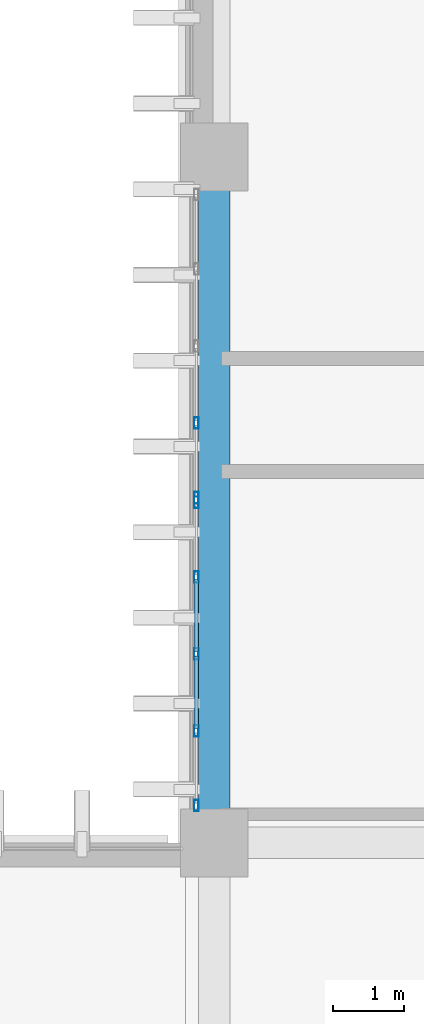
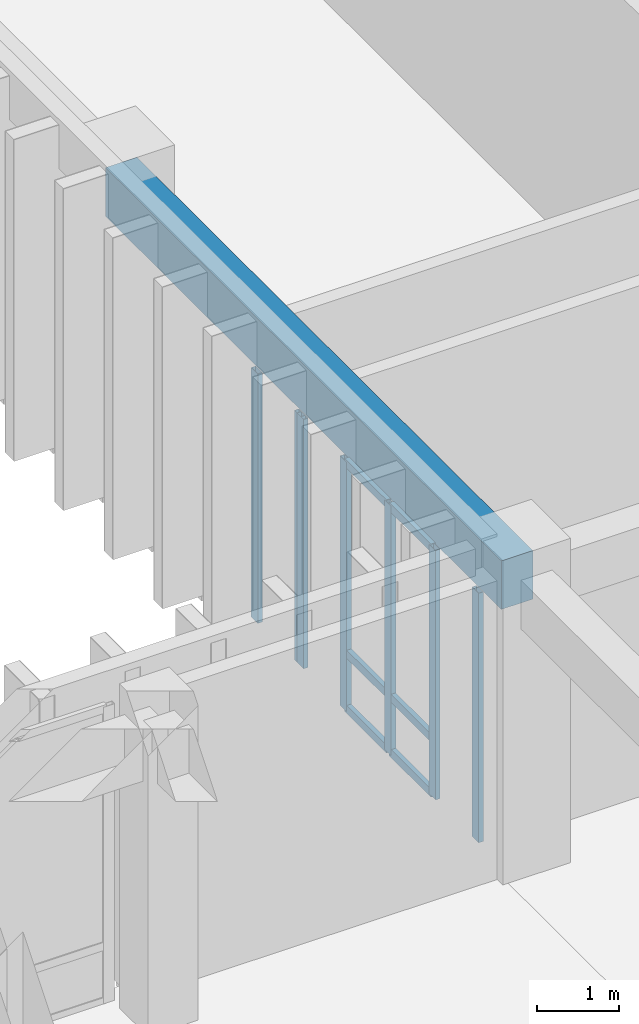
# One storey, part 75 of 133: 13 members, 1 beam, 2 elements without a shape of their own.
"""IFC4 building model written with IfcOpenShell, lengths in metres."""

import ifcopenshell
import ifcopenshell.guid

model = None  # the IFC model being written
_history = None  # IfcOwnerHistory: only IFC2X3 demands one
_inside = {}  # id of a spatial element -> (the spatial element, [elements in it])
_under = {}  # id of a project, library or spatial element -> (it, [spatial elements below it])
_declared = {}  # id of a project -> (the project, [libraries it declares])
_typed = {}  # id of a type object -> (the type object, [elements of that type])
_made_of = {}  # id of a material, layer set ... -> (it, [elements and type objects made of it])


def new_model(schema):
    """Start an empty IFC model of exactly this schema.

    Asked for "IFC4X3", IfcOpenShell would pick the latest addendum, in which some entities
    have other attributes; the version numbers below select the first issue.
    IFC2X3 requires an IfcOwnerHistory on every rooted entity: one is made here for all.
    """
    global model, _history
    if schema == "IFC4X3":
        model = ifcopenshell.file(schema_version=(4, 3, 0, 0))
    else:
        model = ifcopenshell.file(schema=schema)
    _inside.clear()
    _under.clear()
    _declared.clear()
    _typed.clear()
    _made_of.clear()
    _history = None
    if model.schema == "IFC2X3":
        org = make("IfcOrganization", Name="unknown")
        user = make(
            "IfcPersonAndOrganization",
            ThePerson=make("IfcPerson", FamilyName="unknown"),
            TheOrganization=org,
        )
        app = make(
            "IfcApplication",
            ApplicationDeveloper=org,
            Version="unknown",
            ApplicationFullName="unknown",
            ApplicationIdentifier="unknown",
        )
        _history = make(
            "IfcOwnerHistory",
            OwningUser=user,
            OwningApplication=app,
            ChangeAction="ADDED",
            CreationDate=0,
        )
    return model


def make(cls, **values):
    """One entity of the class cls with the attributes given. An attribute that is None is left unset."""
    return model.create_entity(
        cls, **{name: value for name, value in values.items() if value is not None}
    )


def rooted(cls, **values):
    """An entity with a GlobalId (a new one), such as an element, a storey or a relation."""
    return make(cls, GlobalId=ifcopenshell.guid.new(), OwnerHistory=_history, **values)


def si_unit(unit_type, name, prefix=None):
    """IfcSIUnit, for example si_unit("LENGTHUNIT", "METRE", prefix="MILLI")."""
    return make("IfcSIUnit", UnitType=unit_type, Prefix=prefix, Name=name)


def assignment(units):
    """IfcUnitAssignment: the units of a project."""
    return None if units is None else make("IfcUnitAssignment", Units=units)


def point(xyz):
    """IfcCartesianPoint."""
    return None if xyz is None else make("IfcCartesianPoint", Coordinates=xyz)


def direction(xyz):
    """IfcDirection."""
    return None if xyz is None else make("IfcDirection", DirectionRatios=xyz)


def frame(location, z_axis=None, x_axis=None):
    """IfcAxis2Placement3D, a coordinate frame: its origin and axes. An axis left out is left unset."""
    return make(
        "IfcAxis2Placement3D",
        Location=point(location),
        Axis=direction(z_axis),
        RefDirection=direction(x_axis),
    )


def frame_2d(location, x_axis=None):
    """IfcAxis2Placement2D, a coordinate frame in the plane: its origin and x axis."""
    return make(
        "IfcAxis2Placement2D", Location=point(location), RefDirection=direction(x_axis)
    )


def origin():
    """The frame at (0, 0, 0) with its axes left unset."""
    return frame((0.0, 0.0, 0.0))


def origin_2d():
    """The frame at (0, 0) in the plane with its x axis left unset."""
    return frame_2d((0.0, 0.0))


def place(relative_to, where):
    """IfcLocalPlacement: puts the frame where relative to a parent placement (None: the world)."""
    return make(
        "IfcLocalPlacement", PlacementRelTo=relative_to, RelativePlacement=where
    )


def context(
    kind, dimensions, precision=None, world=None, true_north=None, identifier=None
):
    """IfcGeometricRepresentationContext, for example the 3D "Model" context."""
    return make(
        "IfcGeometricRepresentationContext",
        ContextIdentifier=identifier,
        ContextType=kind,
        CoordinateSpaceDimension=dimensions,
        Precision=precision,
        WorldCoordinateSystem=world,
        TrueNorth=true_north,
    )


def subcontext(parent, identifier, kind, view, scale=None):
    """IfcGeometricRepresentationSubContext, for example "Body" below "Model"."""
    return make(
        "IfcGeometricRepresentationSubContext",
        ContextIdentifier=identifier,
        ContextType=kind,
        ParentContext=parent,
        TargetScale=scale,
        TargetView=view,
    )


def project(units=None, contexts=None):
    """IfcProject with its units and contexts."""
    return rooted(
        "IfcProject",
        Name="project",
        RepresentationContexts=contexts,
        UnitsInContext=assignment(units),
    )


def spatial(cls, under=None, at=None, **own):
    """A site, building, storey or space (cls), placed at a placement, below another one or the project."""
    s = rooted(cls, ObjectPlacement=at, **own)
    if under is not None:
        _under.setdefault(under.id(), (under, []))[1].append(s)
    return s


def profile(cls, at=None, kind="AREA", **sizes):
    """A parametric profile (cls). Its sizes go by their IFC names, for example OverallWidth=200.0."""
    return make(cls, ProfileType=kind, Position=at, **sizes)


def rectangle(**sizes):
    """IfcRectangleProfileDef."""
    return profile("IfcRectangleProfileDef", **sizes)


def hollow_rectangle(**sizes):
    """IfcRectangleHollowProfileDef."""
    return profile("IfcRectangleHollowProfileDef", **sizes)


def extrude(swept, where, along, depth):
    """IfcExtrudedAreaSolid: the profile swept, set in the frame where, extruded along a direction by depth."""
    return make(
        "IfcExtrudedAreaSolid",
        SweptArea=swept,
        Position=where,
        ExtrudedDirection=direction(along),
        Depth=depth,
    )


def shape(context_of_items, identifier, shape_type, items):
    """IfcShapeRepresentation: the items that make up one representation, for example the "Body"."""
    return make(
        "IfcShapeRepresentation",
        ContextOfItems=context_of_items,
        RepresentationIdentifier=identifier,
        RepresentationType=shape_type,
        Items=items,
    )


def material(Name=None, Category=None):
    """IfcMaterial."""
    return make("IfcMaterial", Name=Name, Category=Category)


def layer(
    of_material, thickness, ventilated=None, Name=None, Category=None, Priority=None
):
    """IfcMaterialLayer: one layer of a wall or slab, of a material (None: an air gap)."""
    return make(
        "IfcMaterialLayer",
        Material=of_material,
        LayerThickness=thickness,
        IsVentilated=ventilated,
        Name=Name,
        Category=Category,
        Priority=Priority,
    )


def layer_set(layers, Name=None):
    """IfcMaterialLayerSet."""
    return make("IfcMaterialLayerSet", MaterialLayers=layers, LayerSetName=Name)


def material_profile(
    of_material, cross_section, Name=None, Category=None, Priority=None
):
    """IfcMaterialProfile: a cross section and its material."""
    return make(
        "IfcMaterialProfile",
        Name=Name,
        Material=of_material,
        Profile=cross_section,
        Priority=Priority,
        Category=Category,
    )


def profile_set(profiles, Name=None, composite=None):
    """IfcMaterialProfileSet."""
    return make(
        "IfcMaterialProfileSet",
        Name=Name,
        MaterialProfiles=profiles,
        CompositeProfile=composite,
    )


def made_of(thing, what):
    """Note that an element or type object is made of a material, layer set ...; save() writes the relation."""
    if what is not None:
        _made_of.setdefault(what.id(), (what, []))[1].append(thing)
    return thing


def type_object(cls, material=None, **own):
    """A type object (cls), such as IfcWallType, which elements share."""
    return made_of(rooted(cls, **own), material)


def element(
    cls,
    number,
    at=None,
    inside=None,
    cuts=None,
    type_object=None,
    material=None,
    context=None,
    identifier="Body",
    shape_type=None,
    held_by="IfcProductDefinitionShape",
    body=None,
    shapes=None,
    **own,
):
    """One element of the class cls, such as IfcWall. Its Tag is "e" and its number.

    at: its placement. inside: the storey or other place that contains it. cuts: it is an
    opening in that element (IfcRelVoidsElement). A single representation is given by context,
    identifier, shape_type and body (its items); several are given by shapes. held_by: the class
    of the entity that holds the representations. save() writes the other relations.
    """
    e = rooted(cls, Tag="e%d" % number, ObjectPlacement=at, **own)
    if body is not None:
        shapes = [shape(context, identifier, shape_type, body)]
    if shapes is not None:
        e.Representation = make(held_by, Representations=shapes)
    if inside is not None:
        _inside.setdefault(inside.id(), (inside, []))[1].append(e)
    if cuts is not None:
        rooted(
            "IfcRelVoidsElement", RelatingBuildingElement=cuts, RelatedOpeningElement=e
        )
    if type_object is not None:
        _typed.setdefault(type_object.id(), (type_object, []))[1].append(e)
    return made_of(e, material)


def aggregate(whole, parts):
    """IfcRelAggregates: a whole, such as a stair, and the parts it consists of."""
    return rooted("IfcRelAggregates", RelatingObject=whole, RelatedObjects=parts)


def save(model, path):
    """Write the relations noted so far, then the file.

    IfcRelAggregates (storeys below a building ...), IfcRelContainedInSpatialStructure (elements
    in a storey), IfcRelDefinesByType, IfcRelAssociatesMaterial and IfcRelDeclares: one each for
    every whole, place, type object, material and project.
    """
    for whole, parts in _under.values():
        aggregate(whole, parts)
    for where, things in _inside.values():
        rooted(
            "IfcRelContainedInSpatialStructure",
            RelatedElements=things,
            RelatingStructure=where,
        )
    for kind, things in _typed.values():
        rooted("IfcRelDefinesByType", RelatedObjects=things, RelatingType=kind)
    for what, things in _made_of.values():
        rooted("IfcRelAssociatesMaterial", RelatedObjects=things, RelatingMaterial=what)
    for by, libraries in _declared.values():
        rooted("IfcRelDeclares", RelatingContext=by, RelatedDefinitions=libraries)
    model.write(path)


model = new_model("IFC4")

# Units and contexts
model_context = context("Model", 3, precision=1e-05, world=origin(), true_north=direction((0.0, 1.0)))
body_context = subcontext(model_context, "Body", "Model", "MODEL_VIEW")
ifc_project = project(units=[si_unit("LENGTHUNIT", "METRE"), si_unit("AREAUNIT", "SQUARE_METRE"), si_unit("VOLUMEUNIT", "CUBIC_METRE"), si_unit("PLANEANGLEUNIT", "RADIAN"), si_unit("MASSUNIT", "GRAM", prefix="KILO")], contexts=[model_context])

# Site, building, storey
site_placement = place(None, origin())
site = spatial("IfcSite", under=ifc_project, at=site_placement, CompositionType="ELEMENT")
building_placement = place(site_placement, origin())
building = spatial("IfcBuilding", under=site, at=building_placement, Name="Nakhvara Creek Congress Hotel", CompositionType="ELEMENT")
storey_placement = place(building_placement, frame((0.0, 0.0, 11.39990234375)))
storey = spatial("IfcBuildingStorey", under=building, at=storey_placement, Name="L02", CompositionType="ELEMENT", Elevation=11.39990234375)

# Beam
ifc_material_1 = material(Name="Concrete C40/50", Category="concrete")
ifc_material_profile_1 = material_profile(ifc_material_1, rectangle(XDim=0.43994140625, YDim=0.719970703125, at=origin_2d()), Name="RC-BM 440x720", Category="LoadBearing")
ifc_profile_set_1 = profile_set([ifc_material_profile_1], Name="Concrete C40/50")
beam_type = type_object("IfcBeamType", Name="BM-RC-440X720", PredefinedType="BEAM", material=ifc_profile_set_1)
beam_placement = place(storey_placement, frame((149.449951171875, 96.0, 4.06005859375), z_axis=(0.0, 1.0, 0.0), x_axis=(-1.0, 0.0, 0.0)))
element("IfcBeam", 1, at=beam_placement, inside=storey, type_object=beam_type, Name="Beam B12-L02-1593", PredefinedType="BEAM", context=body_context, shape_type="SweptSolid", body=[
    extrude(rectangle(XDim=0.43994140625, YDim=0.719970703125, at=origin_2d()), origin(), (0.0, 0.0, 1.0), 9.60009765625),
])

# Curtain wall, members
ifc_material_2 = material(Name="Bronze-anodised aluminium AW-6063-T6 and double-silver low-E glass", Category="aluminium")
ifc_layer = layer(ifc_material_2, 0.199951171875)
ifc_layer_set = layer_set([ifc_layer], Name="Bronze-anodised aluminium AW-6063-T6 and double-silver low-E glass")
curtain_wall_type = type_object("IfcCurtainWallType", Name="CW-HTL-UNIT", PredefinedType="USERDEFINED", material=ifc_layer_set)
curtain_wall_1_placement = place(storey_placement, origin())
curtain_wall_1 = element("IfcCurtainWall", 2, at=curtain_wall_1_placement, inside=storey, type_object=curtain_wall_type, Name="Curtain Wall CW142", ObjectType="UNITISED", PredefinedType="USERDEFINED")
ifc_material_3 = material(Name="Bronze-anodised aluminium AW-6063-T6", Category="aluminium")
ifc_material_profile_2 = material_profile(ifc_material_3, hollow_rectangle(XDim=0.06494140625, YDim=0.159912109375, WallThickness=0.00390625, at=origin_2d()), Name="ALU-MULL 65x160x4", Category="LoadBearing")
ifc_profile_set_2 = profile_set([ifc_material_profile_2], Name="Bronze-anodised aluminium AW-6063-T6")
member_type_1 = type_object("IfcMemberType", Name="CW-MULL-160", PredefinedType="MULLION", material=ifc_profile_set_2)
member_1_placement = place(storey_placement, frame((149.199951171875, 96.5224609375, 0.0), z_axis=(0.0, 0.0, 1.0), x_axis=(-1.0, 0.0, 0.0)))
member_1 = element("IfcMember", 3, at=member_1_placement, type_object=member_type_1, Name="CW142 mullion 1", PredefinedType="MULLION", context=body_context, shape_type="SweptSolid", body=[
    extrude(hollow_rectangle(XDim=0.06494140625, YDim=0.159912109375, WallThickness=0.00390625, at=origin_2d()), origin(), (0.0, 0.0, 1.0), 3.692138671875),
])
member_2_placement = place(storey_placement, frame((149.199951171875, 97.5673828125, 0.0), z_axis=(0.0, 0.0, 1.0), x_axis=(-1.0, 0.0, 0.0)))
member_2 = element("IfcMember", 4, at=member_2_placement, type_object=member_type_1, Name="CW142 mullion 2", PredefinedType="MULLION", context=body_context, shape_type="SweptSolid", body=[
    extrude(hollow_rectangle(XDim=0.06494140625, YDim=0.159912109375, WallThickness=0.00390625, at=origin_2d()), origin(), (0.0, 0.0, 1.0), 3.692138671875),
])
member_3_placement = place(storey_placement, frame((149.199951171875, 98.64501953125, 0.0), z_axis=(0.0, 0.0, 1.0), x_axis=(-1.0, 0.0, 0.0)))
member_3 = element("IfcMember", 5, at=member_3_placement, type_object=member_type_1, Name="CW142 mullion 3", PredefinedType="MULLION", context=body_context, shape_type="SweptSolid", body=[
    extrude(hollow_rectangle(XDim=0.06494140625, YDim=0.159912109375, WallThickness=0.00390625, at=origin_2d()), origin(), (0.0, 0.0, 1.0), 3.692138671875),
])
member_4_placement = place(storey_placement, frame((149.199951171875, 99.722412109375, 0.0), z_axis=(0.0, 0.0, 1.0), x_axis=(-1.0, 0.0, 0.0)))
member_4 = element("IfcMember", 6, at=member_4_placement, type_object=member_type_1, Name="CW142 mullion 4", PredefinedType="MULLION", context=body_context, shape_type="SweptSolid", body=[
    extrude(hollow_rectangle(XDim=0.06494140625, YDim=0.159912109375, WallThickness=0.00390625, at=origin_2d()), origin(), (0.0, 0.0, 1.0), 3.692138671875),
])
member_5_placement = place(storey_placement, frame((149.199951171875, 100.767578125, 0.0), z_axis=(0.0, 0.0, 1.0), x_axis=(-1.0, 0.0, 0.0)))
member_5 = element("IfcMember", 7, at=member_5_placement, type_object=member_type_1, Name="CW142 mullion 5", PredefinedType="MULLION", context=body_context, shape_type="SweptSolid", body=[
    extrude(hollow_rectangle(XDim=0.06494140625, YDim=0.159912109375, WallThickness=0.00390625, at=origin_2d()), origin(), (0.0, 0.0, 1.0), 3.692138671875),
])

curtain_wall_2_placement = place(storey_placement, origin())
curtain_wall_2 = element("IfcCurtainWall", 8, at=curtain_wall_2_placement, inside=storey, type_object=curtain_wall_type, Name="Curtain Wall CW144", ObjectType="UNITISED", PredefinedType="USERDEFINED")
member_6_placement = place(storey_placement, frame((149.199951171875, 100.83251953125, 0.0), z_axis=(0.0, 0.0, 1.0), x_axis=(-1.0, 0.0, 0.0)))
member_6 = element("IfcMember", 9, at=member_6_placement, type_object=member_type_1, Name="CW144 mullion 1", PredefinedType="MULLION", context=body_context, shape_type="SweptSolid", body=[
    extrude(hollow_rectangle(XDim=0.06494140625, YDim=0.159912109375, WallThickness=0.00390625, at=origin_2d()), origin(), (0.0, 0.0, 1.0), 3.692138671875),
])
member_7_placement = place(storey_placement, frame((149.199951171875, 101.87744140625, 0.0), z_axis=(0.0, 0.0, 1.0), x_axis=(-1.0, 0.0, 0.0)))
member_7 = element("IfcMember", 10, at=member_7_placement, type_object=member_type_1, Name="CW144 mullion 2", PredefinedType="MULLION", context=body_context, shape_type="SweptSolid", body=[
    extrude(hollow_rectangle(XDim=0.06494140625, YDim=0.159912109375, WallThickness=0.00390625, at=origin_2d()), origin(), (0.0, 0.0, 1.0), 3.692138671875),
])
aggregate(curtain_wall_2, [member_6, member_7])

# Member
ifc_material_profile_3 = material_profile(ifc_material_3, hollow_rectangle(XDim=0.06494140625, YDim=0.1201171875, WallThickness=0.00390625, at=origin_2d()), Name="ALU-TRAN 65x120x4", Category="LoadBearing")
ifc_profile_set_3 = profile_set([ifc_material_profile_3], Name="Bronze-anodised aluminium AW-6063-T6")
member_type_2 = type_object("IfcMemberType", Name="CW-TRAN-120", PredefinedType="USERDEFINED", material=ifc_profile_set_3)
member_8_placement = place(storey_placement, frame((149.199951171875, 97.60009765625, 0.03271484375), z_axis=(0.0, 1.0, 0.0), x_axis=(-1.0, 0.0, 0.0)))
member_8 = element("IfcMember", 11, at=member_8_placement, type_object=member_type_2, Name="CW142 transom 2.1", ObjectType="TRANSOM", PredefinedType="USERDEFINED", context=body_context, shape_type="SweptSolid", body=[
    extrude(hollow_rectangle(XDim=0.06494140625, YDim=0.1201171875, WallThickness=0.00390625, at=origin_2d()), origin(), (0.0, 0.0, 1.0), 1.012451171875),
])

member_9_placement = place(storey_placement, frame((149.199951171875, 97.60009765625, 0.85009765625), z_axis=(0.0, 1.0, 0.0), x_axis=(-1.0, 0.0, 0.0)))
member_9 = element("IfcMember", 12, at=member_9_placement, type_object=member_type_2, Name="CW142 transom 2.2", ObjectType="TRANSOM", PredefinedType="USERDEFINED", context=body_context, shape_type="SweptSolid", body=[
    extrude(hollow_rectangle(XDim=0.06494140625, YDim=0.1201171875, WallThickness=0.00390625, at=origin_2d()), origin(), (0.0, 0.0, 1.0), 1.012451171875),
])

member_10_placement = place(storey_placement, frame((149.199951171875, 97.60009765625, 3.65966796875), z_axis=(0.0, 1.0, 0.0), x_axis=(-1.0, 0.0, 0.0)))
member_10 = element("IfcMember", 13, at=member_10_placement, type_object=member_type_2, Name="CW142 transom 2.3", ObjectType="TRANSOM", PredefinedType="USERDEFINED", context=body_context, shape_type="SweptSolid", body=[
    extrude(hollow_rectangle(XDim=0.06494140625, YDim=0.1201171875, WallThickness=0.00390625, at=origin_2d()), origin(), (0.0, 0.0, 1.0), 1.012451171875),
])

member_11_placement = place(storey_placement, frame((149.199951171875, 98.677490234375, 0.03271484375), z_axis=(0.0, 1.0, 0.0), x_axis=(-1.0, 0.0, 0.0)))
member_11 = element("IfcMember", 14, at=member_11_placement, type_object=member_type_2, Name="CW142 transom 3.1", ObjectType="TRANSOM", PredefinedType="USERDEFINED", context=body_context, shape_type="SweptSolid", body=[
    extrude(hollow_rectangle(XDim=0.06494140625, YDim=0.1201171875, WallThickness=0.00390625, at=origin_2d()), origin(), (0.0, 0.0, 1.0), 1.012451171875),
])

member_12_placement = place(storey_placement, frame((149.199951171875, 98.677490234375, 0.85009765625), z_axis=(0.0, 1.0, 0.0), x_axis=(-1.0, 0.0, 0.0)))
member_12 = element("IfcMember", 15, at=member_12_placement, type_object=member_type_2, Name="CW142 transom 3.2", ObjectType="TRANSOM", PredefinedType="USERDEFINED", context=body_context, shape_type="SweptSolid", body=[
    extrude(hollow_rectangle(XDim=0.06494140625, YDim=0.1201171875, WallThickness=0.00390625, at=origin_2d()), origin(), (0.0, 0.0, 1.0), 1.012451171875),
])

member_13_placement = place(storey_placement, frame((149.199951171875, 98.677490234375, 3.65966796875), z_axis=(0.0, 1.0, 0.0), x_axis=(-1.0, 0.0, 0.0)))
member_13 = element("IfcMember", 16, at=member_13_placement, type_object=member_type_2, Name="CW142 transom 3.3", ObjectType="TRANSOM", PredefinedType="USERDEFINED", context=body_context, shape_type="SweptSolid", body=[
    extrude(hollow_rectangle(XDim=0.06494140625, YDim=0.1201171875, WallThickness=0.00390625, at=origin_2d()), origin(), (0.0, 0.0, 1.0), 1.012451171875),
])

aggregate(curtain_wall_1, [member_1, member_2, member_3, member_4, member_5, member_8, member_9, member_10, member_11, member_12, member_13])

save(model, "model.ifc")
